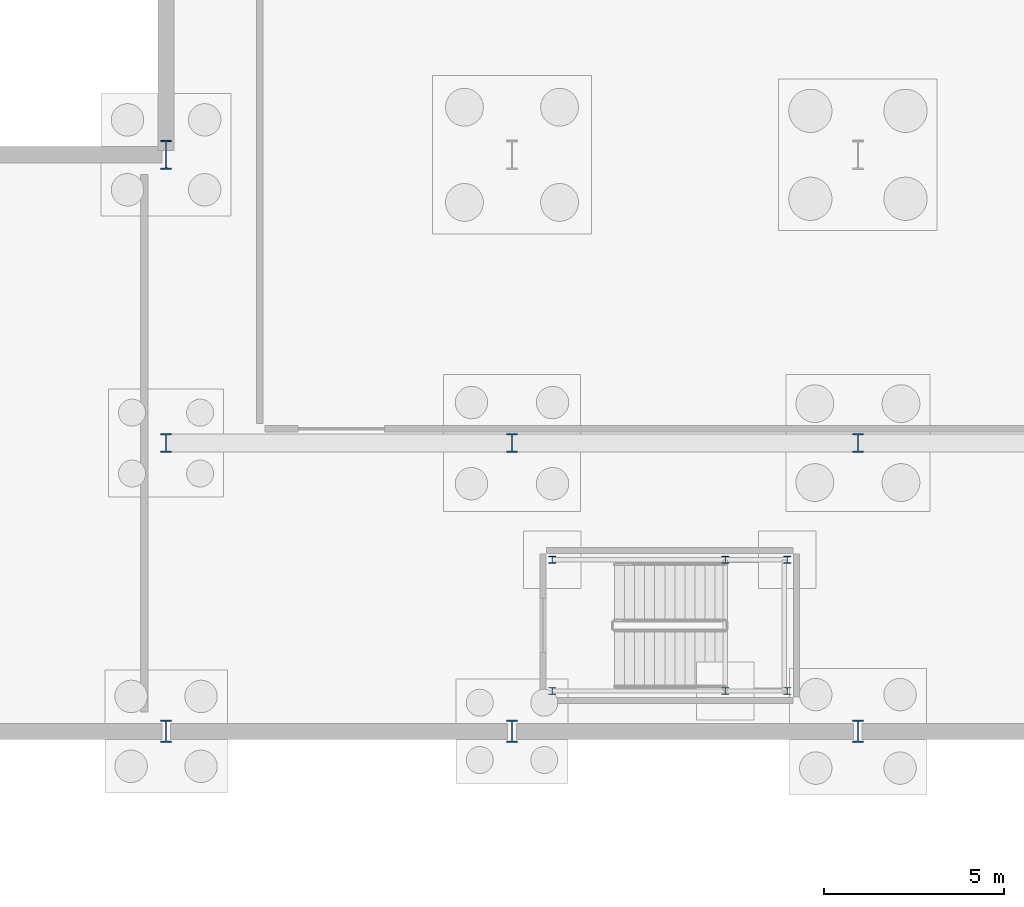
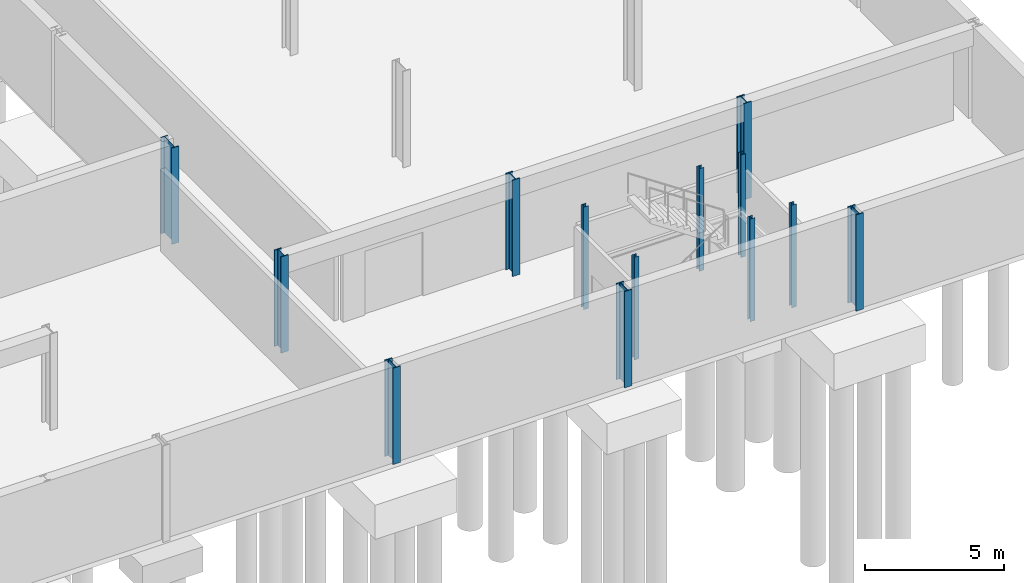
# One storey, part 28 of 47: 13 columns.
"""IFC4 building model written with IfcOpenShell, lengths in metres."""

from ifc_helpers import new_model, si_unit, direction, frame, origin, origin_2d, place, context, subcontext, project, spatial, i_section, extrude, material, material_profile, profile_set, type_object, element, save


model = new_model("IFC4")

# Units and contexts
model_context = context("Model", 3, precision=1e-05, world=origin(), true_north=direction((0.0, 1.0)))
body_context = subcontext(model_context, "Body", "Model", "MODEL_VIEW")
ifc_project = project(units=[si_unit("LENGTHUNIT", "METRE"), si_unit("AREAUNIT", "SQUARE_METRE"), si_unit("VOLUMEUNIT", "CUBIC_METRE"), si_unit("PLANEANGLEUNIT", "RADIAN"), si_unit("MASSUNIT", "GRAM", prefix="KILO")], contexts=[model_context])

# Site, building, storey
site_placement = place(None, origin())
site = spatial("IfcSite", under=ifc_project, at=site_placement, CompositionType="ELEMENT")
building_placement = place(site_placement, origin())
building = spatial("IfcBuilding", under=site, at=building_placement, Name="Alderhovde Museum", CompositionType="ELEMENT")
storey_placement = place(building_placement, frame((0.0, 0.0, -4.5)))
storey = spatial("IfcBuildingStorey", under=building, at=storey_placement, Name="B1", CompositionType="ELEMENT", Elevation=-4.5)

# Columns
ifc_material_1 = material(Name="Steel S355J2", Category="steel")
ifc_material_profile_1 = material_profile(ifc_material_1, i_section(OverallWidth=0.199951171875, OverallDepth=0.18994140625, WebThickness=0.006591796875, FlangeThickness=0.010009765625, FilletRadius=0.01806640625, at=origin_2d()), Name="HEA 200")
ifc_profile_set_1 = profile_set([ifc_material_profile_1], Name="Steel S355J2")
column_type_1 = type_object("IfcColumnType", Name="COL-HEA200", PredefinedType="COLUMN", material=ifc_profile_set_1)
for number, where, z_axis, x_axis, name in (
    (1, (154.719970703125, 33.1201171875, 0.0), (0.0, 0.0, 1.0), (1.0, 0.0, 0.0), "B1 Stair ST7 Shaft Column 1"),
    (2, (161.239990234375, 33.1201171875, 0.0), (0.0, 0.0, 1.0), (1.0, 0.0, 0.0), "B1 Stair ST7 Shaft Column 2"),
    (3, (161.239990234375, 36.760009765625, 0.0), (0.0, 0.0, 1.0), (1.0, 0.0, 0.0), "B1 Stair ST7 Shaft Column 3"),
    (4, (154.719970703125, 36.760009765625, 0.0), (0.0, 0.0, 1.0), (1.0, 0.0, 0.0), "B1 Stair ST7 Shaft Column 4"),
    (5, (159.52001953125, 33.1201171875, 0.0), (0.0, 0.0, 1.0), (1.0, 0.0, 0.0), "B1 Stair ST7 Shaft Column 5"),
    (6, (159.52001953125, 36.760009765625, 0.0), (0.0, 0.0, 1.0), (1.0, 0.0, 0.0), "B1 Stair ST7 Shaft Column 6"),
):
    element("IfcColumn", number, at=place(storey_placement, frame(where, z_axis=z_axis, x_axis=x_axis)), inside=storey, type_object=column_type_1, Name=name, PredefinedType="COLUMN", context=body_context, shape_type="SweptSolid", body=[
        extrude(i_section(OverallWidth=0.199951171875, OverallDepth=0.18994140625, WebThickness=0.006591796875, FlangeThickness=0.010009765625, FilletRadius=0.01806640625, at=origin_2d()), origin(), (0.0, 0.0, 1.0), 4.5),
    ])
ifc_material_2 = material(Name="Steel S355J2", Category="steel")
ifc_material_profile_2 = material_profile(ifc_material_2, i_section(OverallWidth=0.300048828125, OverallDepth=0.800048828125, WebThickness=0.017578125, FlangeThickness=0.032958984375, FilletRadius=0.030029296875, at=origin_2d()), Name="HEB 800")
ifc_profile_set_2 = profile_set([ifc_material_profile_2], Name="Steel S355J2")
column_type_2 = type_object("IfcColumnType", Name="COL-HEB800", PredefinedType="COLUMN", material=ifc_profile_set_2)
column_placement = place(storey_placement, frame((144.0, 48.0, 0.0), z_axis=(0.0, 0.0, 1.0), x_axis=(1.0, 0.0, 0.0)))
element("IfcColumn", 7, at=column_placement, inside=storey, type_object=column_type_2, Name="B1 Column (144.0, 48.0)", PredefinedType="COLUMN", context=body_context, shape_type="SweptSolid", body=[
    extrude(i_section(OverallWidth=0.300048828125, OverallDepth=0.800048828125, WebThickness=0.017578125, FlangeThickness=0.032958984375, FilletRadius=0.030029296875, at=origin_2d()), origin(), (0.0, 0.0, 1.0), 4.219970703125),
])
ifc_material_3 = material(Name="Steel S355J2", Category="steel")
ifc_material_profile_3 = material_profile(ifc_material_3, i_section(OverallWidth=0.305908203125, OverallDepth=0.52392578125, WebThickness=0.02099609375, FlangeThickness=0.0400390625, FilletRadius=0.027099609375, at=origin_2d()), Name="HEM 500")
ifc_profile_set_3 = profile_set([ifc_material_profile_3], Name="Steel S355J2")
column_type_3 = type_object("IfcColumnType", Name="COL-HEM500", PredefinedType="COLUMN", material=ifc_profile_set_3)
for number, where, z_axis, x_axis, name in (
    (8, (144.0, 40.0, 0.0), (0.0, 0.0, 1.0), (1.0, 0.0, 0.0), "B1 Column (144.0, 40.0)"),
    (9, (153.60009765625, 40.0, 0.0), (0.0, 0.0, 1.0), (1.0, 0.0, 0.0), "B1 Column (153.6, 40.0)"),
    (10, (163.199951171875, 40.0, 0.0), (0.0, 0.0, 1.0), (1.0, 0.0, 0.0), "B1 Column (163.2, 40.0)"),
):
    element("IfcColumn", number, at=place(storey_placement, frame(where, z_axis=z_axis, x_axis=x_axis)), inside=storey, type_object=column_type_3, Name=name, PredefinedType="COLUMN", context=body_context, shape_type="SweptSolid", body=[
        extrude(i_section(OverallWidth=0.305908203125, OverallDepth=0.52392578125, WebThickness=0.02099609375, FlangeThickness=0.0400390625, FilletRadius=0.027099609375, at=origin_2d()), origin(), (0.0, 0.0, 1.0), 4.219970703125),
    ])
ifc_material_4 = material(Name="Steel S355J2", Category="steel")
ifc_material_profile_4 = material_profile(ifc_material_4, i_section(OverallWidth=0.304931640625, OverallDepth=0.6201171875, WebThickness=0.02099609375, FlangeThickness=0.0400390625, FilletRadius=0.027099609375, at=origin_2d()), Name="HEM 600")
ifc_profile_set_4 = profile_set([ifc_material_profile_4], Name="Steel S355J2")
column_type_4 = type_object("IfcColumnType", Name="COL-HEM600", PredefinedType="COLUMN", material=ifc_profile_set_4)
for number, where, z_axis, x_axis, name in (
    (11, (144.0, 32.0, 0.0), (0.0, 0.0, 1.0), (1.0, 0.0, 0.0), "B1 Column (144.0, 32.0)"),
    (12, (153.60009765625, 32.0, 0.0), (0.0, 0.0, 1.0), (1.0, 0.0, 0.0), "B1 Column (153.6, 32.0)"),
    (13, (163.199951171875, 32.0, 0.0), (0.0, 0.0, 1.0), (1.0, 0.0, 0.0), "B1 Column (163.2, 32.0)"),
):
    element("IfcColumn", number, at=place(storey_placement, frame(where, z_axis=z_axis, x_axis=x_axis)), inside=storey, type_object=column_type_4, Name=name, PredefinedType="COLUMN", context=body_context, shape_type="SweptSolid", body=[
        extrude(i_section(OverallWidth=0.304931640625, OverallDepth=0.6201171875, WebThickness=0.02099609375, FlangeThickness=0.0400390625, FilletRadius=0.027099609375, at=origin_2d()), origin(), (0.0, 0.0, 1.0), 4.219970703125),
    ])

save(model, "model.ifc")
